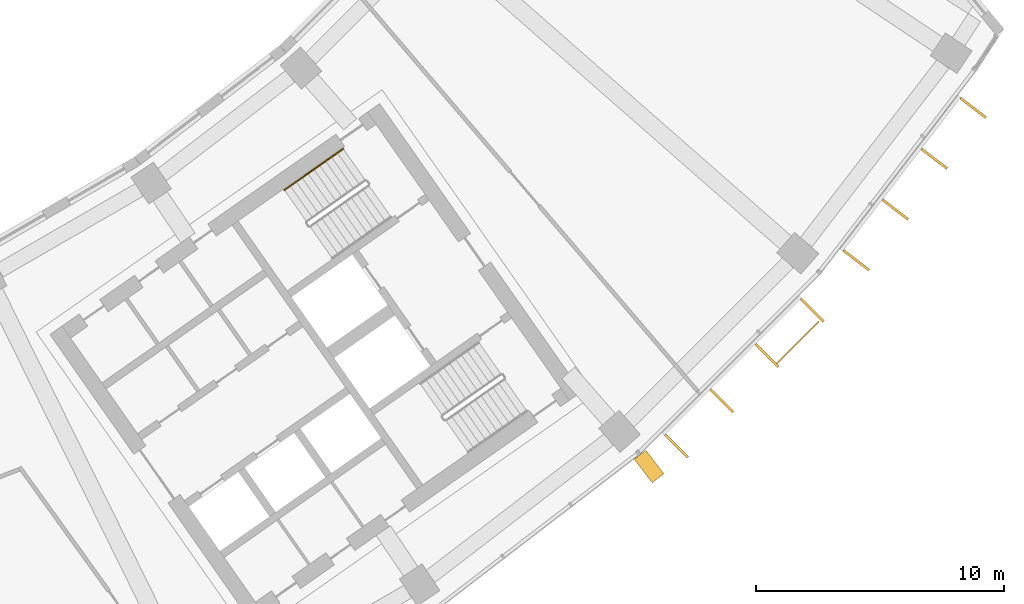
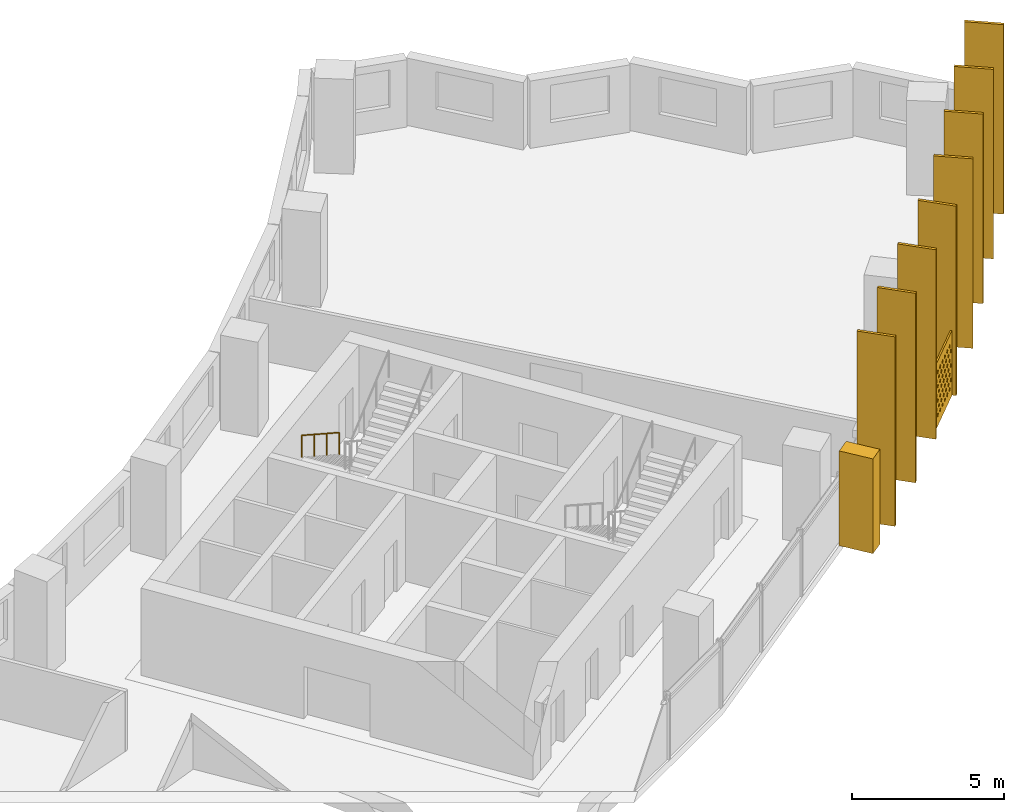
# One storey, part 26 of 26: 10 shading devices, 1 railing.
"""IFC4 building model written with IfcOpenShell, lengths in metres."""

from ifc_helpers import new_model, si_unit, direction, frame, origin, origin_2d, place, context, subcontext, project, spatial, polyline, rectangle, circle, outline, extrude, material, material_profile, profile_set, type_object, element, save


model = new_model("IFC4")

# Units and contexts
model_context = context("Model", 3, precision=1e-05, world=origin(), true_north=direction((0.0, 1.0)))
body_context = subcontext(model_context, "Body", "Model", "MODEL_VIEW")
ifc_project = project(units=[si_unit("LENGTHUNIT", "METRE"), si_unit("AREAUNIT", "SQUARE_METRE"), si_unit("VOLUMEUNIT", "CUBIC_METRE"), si_unit("PLANEANGLEUNIT", "RADIAN"), si_unit("MASSUNIT", "GRAM", prefix="KILO")], contexts=[model_context])

# Site, building, storey
site_placement = place(None, origin())
site = spatial("IfcSite", under=ifc_project, at=site_placement, CompositionType="ELEMENT")
building_placement = place(site_placement, origin())
building = spatial("IfcBuilding", under=site, at=building_placement, Name="Qamariyya Broadcast Tower", CompositionType="ELEMENT")
storey_placement = place(building_placement, frame((0.0, 0.0, 156.89990234375)))
storey = spatial("IfcBuildingStorey", under=building, at=storey_placement, Name="L36", CompositionType="ELEMENT", Elevation=156.89990234375)

# Shading devices
ifc_material_1 = material(Name="Steel S355 powder coated deep red", Category="steel")
shading_device_type_1 = type_object("IfcShadingDeviceType", Name="Deep red frame, powder coated steel box section", PredefinedType="USERDEFINED", material=ifc_material_1)
shading_device_1_placement = place(storey_placement, origin())
element("IfcShadingDevice", 1, at=shading_device_1_placement, inside=storey, type_object=shading_device_type_1, Name="e-frm-B3-F4-postb-L36", ObjectType="FRAME", PredefinedType="USERDEFINED", context=body_context, shape_type="SweptSolid", body=[
    extrude(outline(polyline([(51.850341796875, -59.577880859375), (52.580810546875, -60.530029296875), (53.056884765625, -60.164794921875), (52.326416015625, -59.212646484375), (51.850341796875, -59.577880859375)])), origin(), (0.0, 0.0, 1.0), 3.800048828125),
])
ifc_material_2 = material(Name="Perforated glazed terracotta", Category="masonry")
ifc_material_profile_1 = material_profile(ifc_material_2, outline(polyline([(-1.199951171875, -1.300048828125), (1.199951171875, -1.300048828125), (1.199951171875, 1.300048828125), (-1.199951171875, 1.300048828125), (-1.199951171875, -1.300048828125)]), holes=[polyline([(-0.81494140625, -0.86669921875), (-0.89990234375, -0.78173828125), (-0.985107421875, -0.86669921875), (-0.89990234375, -0.95166015625), (-0.81494140625, -0.86669921875)]), polyline([(-0.514892578125, -0.86669921875), (-0.60009765625, -0.78173828125), (-0.68505859375, -0.86669921875), (-0.60009765625, -0.95166015625), (-0.514892578125, -0.86669921875)]), polyline([(-0.215087890625, -0.86669921875), (-0.300048828125, -0.78173828125), (-0.385009765625, -0.86669921875), (-0.300048828125, -0.95166015625), (-0.215087890625, -0.86669921875)]), polyline([(0.0849609375, -0.86669921875), (0.0, -0.78173828125), (-0.0849609375, -0.86669921875), (0.0, -0.95166015625), (0.0849609375, -0.86669921875)]), polyline([(0.385009765625, -0.86669921875), (0.300048828125, -0.78173828125), (0.215087890625, -0.86669921875), (0.300048828125, -0.95166015625), (0.385009765625, -0.86669921875)]), polyline([(0.68505859375, -0.86669921875), (0.60009765625, -0.78173828125), (0.514892578125, -0.86669921875), (0.60009765625, -0.95166015625), (0.68505859375, -0.86669921875)]), polyline([(0.985107421875, -0.86669921875), (0.89990234375, -0.78173828125), (0.81494140625, -0.86669921875), (0.89990234375, -0.95166015625), (0.985107421875, -0.86669921875)]), polyline([(-0.965087890625, -0.577880859375), (-1.050048828125, -0.49267578125), (-1.135009765625, -0.577880859375), (-1.050048828125, -0.662841796875), (-0.965087890625, -0.577880859375)]), polyline([(-0.6650390625, -0.577880859375), (-0.75, -0.49267578125), (-0.8349609375, -0.577880859375), (-0.75, -0.662841796875), (-0.6650390625, -0.577880859375)]), polyline([(-0.364990234375, -0.577880859375), (-0.449951171875, -0.49267578125), (-0.534912109375, -0.577880859375), (-0.449951171875, -0.662841796875), (-0.364990234375, -0.577880859375)]), polyline([(-0.06494140625, -0.577880859375), (-0.14990234375, -0.49267578125), (-0.235107421875, -0.577880859375), (-0.14990234375, -0.662841796875), (-0.06494140625, -0.577880859375)]), polyline([(0.235107421875, -0.577880859375), (0.14990234375, -0.49267578125), (0.06494140625, -0.577880859375), (0.14990234375, -0.662841796875), (0.235107421875, -0.577880859375)]), polyline([(0.534912109375, -0.577880859375), (0.449951171875, -0.49267578125), (0.364990234375, -0.577880859375), (0.449951171875, -0.662841796875), (0.534912109375, -0.577880859375)]), polyline([(0.8349609375, -0.577880859375), (0.75, -0.49267578125), (0.6650390625, -0.577880859375), (0.75, -0.662841796875), (0.8349609375, -0.577880859375)]), polyline([(1.135009765625, -0.577880859375), (1.050048828125, -0.49267578125), (0.965087890625, -0.577880859375), (1.050048828125, -0.662841796875), (1.135009765625, -0.577880859375)]), polyline([(-0.81494140625, -0.288818359375), (-0.89990234375, -0.203857421875), (-0.985107421875, -0.288818359375), (-0.89990234375, -0.373779296875), (-0.81494140625, -0.288818359375)]), polyline([(-0.514892578125, -0.288818359375), (-0.60009765625, -0.203857421875), (-0.68505859375, -0.288818359375), (-0.60009765625, -0.373779296875), (-0.514892578125, -0.288818359375)]), polyline([(-0.215087890625, -0.288818359375), (-0.300048828125, -0.203857421875), (-0.385009765625, -0.288818359375), (-0.300048828125, -0.373779296875), (-0.215087890625, -0.288818359375)]), polyline([(0.0849609375, -0.288818359375), (0.0, -0.203857421875), (-0.0849609375, -0.288818359375), (0.0, -0.373779296875), (0.0849609375, -0.288818359375)]), polyline([(0.385009765625, -0.288818359375), (0.300048828125, -0.203857421875), (0.215087890625, -0.288818359375), (0.300048828125, -0.373779296875), (0.385009765625, -0.288818359375)]), polyline([(0.68505859375, -0.288818359375), (0.60009765625, -0.203857421875), (0.514892578125, -0.288818359375), (0.60009765625, -0.373779296875), (0.68505859375, -0.288818359375)]), polyline([(0.985107421875, -0.288818359375), (0.89990234375, -0.203857421875), (0.81494140625, -0.288818359375), (0.89990234375, -0.373779296875), (0.985107421875, -0.288818359375)]), polyline([(-0.965087890625, 0.0), (-1.050048828125, 0.0849609375), (-1.135009765625, 0.0), (-1.050048828125, -0.0849609375), (-0.965087890625, 0.0)]), polyline([(-0.6650390625, 0.0), (-0.75, 0.0849609375), (-0.8349609375, 0.0), (-0.75, -0.0849609375), (-0.6650390625, 0.0)]), polyline([(-0.364990234375, 0.0), (-0.449951171875, 0.0849609375), (-0.534912109375, 0.0), (-0.449951171875, -0.0849609375), (-0.364990234375, 0.0)]), polyline([(-0.06494140625, 0.0), (-0.14990234375, 0.0849609375), (-0.235107421875, 0.0), (-0.14990234375, -0.0849609375), (-0.06494140625, 0.0)]), polyline([(0.235107421875, 0.0), (0.14990234375, 0.0849609375), (0.06494140625, 0.0), (0.14990234375, -0.0849609375), (0.235107421875, 0.0)]), polyline([(0.534912109375, 0.0), (0.449951171875, 0.0849609375), (0.364990234375, 0.0), (0.449951171875, -0.0849609375), (0.534912109375, 0.0)]), polyline([(0.8349609375, 0.0), (0.75, 0.0849609375), (0.6650390625, 0.0), (0.75, -0.0849609375), (0.8349609375, 0.0)]), polyline([(1.135009765625, 0.0), (1.050048828125, 0.0849609375), (0.965087890625, 0.0), (1.050048828125, -0.0849609375), (1.135009765625, 0.0)]), polyline([(-0.81494140625, 0.288818359375), (-0.89990234375, 0.373779296875), (-0.985107421875, 0.288818359375), (-0.89990234375, 0.203857421875), (-0.81494140625, 0.288818359375)]), polyline([(-0.514892578125, 0.288818359375), (-0.60009765625, 0.373779296875), (-0.68505859375, 0.288818359375), (-0.60009765625, 0.203857421875), (-0.514892578125, 0.288818359375)]), polyline([(-0.215087890625, 0.288818359375), (-0.300048828125, 0.373779296875), (-0.385009765625, 0.288818359375), (-0.300048828125, 0.203857421875), (-0.215087890625, 0.288818359375)]), polyline([(0.0849609375, 0.288818359375), (0.0, 0.373779296875), (-0.0849609375, 0.288818359375), (0.0, 0.203857421875), (0.0849609375, 0.288818359375)]), polyline([(0.385009765625, 0.288818359375), (0.300048828125, 0.373779296875), (0.215087890625, 0.288818359375), (0.300048828125, 0.203857421875), (0.385009765625, 0.288818359375)]), polyline([(0.68505859375, 0.288818359375), (0.60009765625, 0.373779296875), (0.514892578125, 0.288818359375), (0.60009765625, 0.203857421875), (0.68505859375, 0.288818359375)]), polyline([(0.985107421875, 0.288818359375), (0.89990234375, 0.373779296875), (0.81494140625, 0.288818359375), (0.89990234375, 0.203857421875), (0.985107421875, 0.288818359375)]), polyline([(-0.965087890625, 0.577880859375), (-1.050048828125, 0.662841796875), (-1.135009765625, 0.577880859375), (-1.050048828125, 0.49267578125), (-0.965087890625, 0.577880859375)]), polyline([(-0.6650390625, 0.577880859375), (-0.75, 0.662841796875), (-0.8349609375, 0.577880859375), (-0.75, 0.49267578125), (-0.6650390625, 0.577880859375)]), polyline([(-0.364990234375, 0.577880859375), (-0.449951171875, 0.662841796875), (-0.534912109375, 0.577880859375), (-0.449951171875, 0.49267578125), (-0.364990234375, 0.577880859375)]), polyline([(-0.06494140625, 0.577880859375), (-0.14990234375, 0.662841796875), (-0.235107421875, 0.577880859375), (-0.14990234375, 0.49267578125), (-0.06494140625, 0.577880859375)]), polyline([(0.235107421875, 0.577880859375), (0.14990234375, 0.662841796875), (0.06494140625, 0.577880859375), (0.14990234375, 0.49267578125), (0.235107421875, 0.577880859375)]), polyline([(0.534912109375, 0.577880859375), (0.449951171875, 0.662841796875), (0.364990234375, 0.577880859375), (0.449951171875, 0.49267578125), (0.534912109375, 0.577880859375)]), polyline([(0.8349609375, 0.577880859375), (0.75, 0.662841796875), (0.6650390625, 0.577880859375), (0.75, 0.49267578125), (0.8349609375, 0.577880859375)]), polyline([(1.135009765625, 0.577880859375), (1.050048828125, 0.662841796875), (0.965087890625, 0.577880859375), (1.050048828125, 0.49267578125), (1.135009765625, 0.577880859375)]), polyline([(-0.81494140625, 0.86669921875), (-0.89990234375, 0.95166015625), (-0.985107421875, 0.86669921875), (-0.89990234375, 0.78173828125), (-0.81494140625, 0.86669921875)]), polyline([(-0.514892578125, 0.86669921875), (-0.60009765625, 0.95166015625), (-0.68505859375, 0.86669921875), (-0.60009765625, 0.78173828125), (-0.514892578125, 0.86669921875)]), polyline([(-0.215087890625, 0.86669921875), (-0.300048828125, 0.95166015625), (-0.385009765625, 0.86669921875), (-0.300048828125, 0.78173828125), (-0.215087890625, 0.86669921875)]), polyline([(0.0849609375, 0.86669921875), (0.0, 0.95166015625), (-0.0849609375, 0.86669921875), (0.0, 0.78173828125), (0.0849609375, 0.86669921875)]), polyline([(0.385009765625, 0.86669921875), (0.300048828125, 0.95166015625), (0.215087890625, 0.86669921875), (0.300048828125, 0.78173828125), (0.385009765625, 0.86669921875)]), polyline([(0.68505859375, 0.86669921875), (0.60009765625, 0.95166015625), (0.514892578125, 0.86669921875), (0.60009765625, 0.78173828125), (0.68505859375, 0.86669921875)]), polyline([(0.985107421875, 0.86669921875), (0.89990234375, 0.95166015625), (0.81494140625, 0.86669921875), (0.89990234375, 0.78173828125), (0.985107421875, 0.86669921875)])]))
ifc_profile_set_1 = profile_set([ifc_material_profile_1], Name="Perforated glazed terracotta")
shading_device_type_2 = type_object("IfcShadingDeviceType", Name="Perforated terracotta screen 2400 x 2600", PredefinedType="USERDEFINED", material=ifc_profile_set_1)
shading_device_2_placement = place(storey_placement, frame((58.43701171875, -54.842529296875, 1.35009765625), z_axis=(0.707106781187, -0.707106781187, 0.0), x_axis=(0.707106781187, 0.707106781187, 0.0)))
element("IfcShadingDevice", 2, at=shading_device_2_placement, inside=storey, type_object=shading_device_type_2, Name="e-scr-L36-13-2", ObjectType="SCREEN", PredefinedType="USERDEFINED", context=body_context, shape_type="SweptSolid", body=[
    extrude(outline(polyline([(-1.199951171875, -1.300048828125), (1.199951171875, -1.300048828125), (1.199951171875, 1.300048828125), (-1.199951171875, 1.300048828125), (-1.199951171875, -1.300048828125)]), holes=[polyline([(-0.81494140625, -0.86669921875), (-0.89990234375, -0.78173828125), (-0.985107421875, -0.86669921875), (-0.89990234375, -0.95166015625), (-0.81494140625, -0.86669921875)]), polyline([(-0.514892578125, -0.86669921875), (-0.60009765625, -0.78173828125), (-0.68505859375, -0.86669921875), (-0.60009765625, -0.95166015625), (-0.514892578125, -0.86669921875)]), polyline([(-0.215087890625, -0.86669921875), (-0.300048828125, -0.78173828125), (-0.385009765625, -0.86669921875), (-0.300048828125, -0.95166015625), (-0.215087890625, -0.86669921875)]), polyline([(0.0849609375, -0.86669921875), (0.0, -0.78173828125), (-0.0849609375, -0.86669921875), (0.0, -0.95166015625), (0.0849609375, -0.86669921875)]), polyline([(0.385009765625, -0.86669921875), (0.300048828125, -0.78173828125), (0.215087890625, -0.86669921875), (0.300048828125, -0.95166015625), (0.385009765625, -0.86669921875)]), polyline([(0.68505859375, -0.86669921875), (0.60009765625, -0.78173828125), (0.514892578125, -0.86669921875), (0.60009765625, -0.95166015625), (0.68505859375, -0.86669921875)]), polyline([(0.985107421875, -0.86669921875), (0.89990234375, -0.78173828125), (0.81494140625, -0.86669921875), (0.89990234375, -0.95166015625), (0.985107421875, -0.86669921875)]), polyline([(-0.965087890625, -0.577880859375), (-1.050048828125, -0.49267578125), (-1.135009765625, -0.577880859375), (-1.050048828125, -0.662841796875), (-0.965087890625, -0.577880859375)]), polyline([(-0.6650390625, -0.577880859375), (-0.75, -0.49267578125), (-0.8349609375, -0.577880859375), (-0.75, -0.662841796875), (-0.6650390625, -0.577880859375)]), polyline([(-0.364990234375, -0.577880859375), (-0.449951171875, -0.49267578125), (-0.534912109375, -0.577880859375), (-0.449951171875, -0.662841796875), (-0.364990234375, -0.577880859375)]), polyline([(-0.06494140625, -0.577880859375), (-0.14990234375, -0.49267578125), (-0.235107421875, -0.577880859375), (-0.14990234375, -0.662841796875), (-0.06494140625, -0.577880859375)]), polyline([(0.235107421875, -0.577880859375), (0.14990234375, -0.49267578125), (0.06494140625, -0.577880859375), (0.14990234375, -0.662841796875), (0.235107421875, -0.577880859375)]), polyline([(0.534912109375, -0.577880859375), (0.449951171875, -0.49267578125), (0.364990234375, -0.577880859375), (0.449951171875, -0.662841796875), (0.534912109375, -0.577880859375)]), polyline([(0.8349609375, -0.577880859375), (0.75, -0.49267578125), (0.6650390625, -0.577880859375), (0.75, -0.662841796875), (0.8349609375, -0.577880859375)]), polyline([(1.135009765625, -0.577880859375), (1.050048828125, -0.49267578125), (0.965087890625, -0.577880859375), (1.050048828125, -0.662841796875), (1.135009765625, -0.577880859375)]), polyline([(-0.81494140625, -0.288818359375), (-0.89990234375, -0.203857421875), (-0.985107421875, -0.288818359375), (-0.89990234375, -0.373779296875), (-0.81494140625, -0.288818359375)]), polyline([(-0.514892578125, -0.288818359375), (-0.60009765625, -0.203857421875), (-0.68505859375, -0.288818359375), (-0.60009765625, -0.373779296875), (-0.514892578125, -0.288818359375)]), polyline([(-0.215087890625, -0.288818359375), (-0.300048828125, -0.203857421875), (-0.385009765625, -0.288818359375), (-0.300048828125, -0.373779296875), (-0.215087890625, -0.288818359375)]), polyline([(0.0849609375, -0.288818359375), (0.0, -0.203857421875), (-0.0849609375, -0.288818359375), (0.0, -0.373779296875), (0.0849609375, -0.288818359375)]), polyline([(0.385009765625, -0.288818359375), (0.300048828125, -0.203857421875), (0.215087890625, -0.288818359375), (0.300048828125, -0.373779296875), (0.385009765625, -0.288818359375)]), polyline([(0.68505859375, -0.288818359375), (0.60009765625, -0.203857421875), (0.514892578125, -0.288818359375), (0.60009765625, -0.373779296875), (0.68505859375, -0.288818359375)]), polyline([(0.985107421875, -0.288818359375), (0.89990234375, -0.203857421875), (0.81494140625, -0.288818359375), (0.89990234375, -0.373779296875), (0.985107421875, -0.288818359375)]), polyline([(-0.965087890625, 0.0), (-1.050048828125, 0.0849609375), (-1.135009765625, 0.0), (-1.050048828125, -0.0849609375), (-0.965087890625, 0.0)]), polyline([(-0.6650390625, 0.0), (-0.75, 0.0849609375), (-0.8349609375, 0.0), (-0.75, -0.0849609375), (-0.6650390625, 0.0)]), polyline([(-0.364990234375, 0.0), (-0.449951171875, 0.0849609375), (-0.534912109375, 0.0), (-0.449951171875, -0.0849609375), (-0.364990234375, 0.0)]), polyline([(-0.06494140625, 0.0), (-0.14990234375, 0.0849609375), (-0.235107421875, 0.0), (-0.14990234375, -0.0849609375), (-0.06494140625, 0.0)]), polyline([(0.235107421875, 0.0), (0.14990234375, 0.0849609375), (0.06494140625, 0.0), (0.14990234375, -0.0849609375), (0.235107421875, 0.0)]), polyline([(0.534912109375, 0.0), (0.449951171875, 0.0849609375), (0.364990234375, 0.0), (0.449951171875, -0.0849609375), (0.534912109375, 0.0)]), polyline([(0.8349609375, 0.0), (0.75, 0.0849609375), (0.6650390625, 0.0), (0.75, -0.0849609375), (0.8349609375, 0.0)]), polyline([(1.135009765625, 0.0), (1.050048828125, 0.0849609375), (0.965087890625, 0.0), (1.050048828125, -0.0849609375), (1.135009765625, 0.0)]), polyline([(-0.81494140625, 0.288818359375), (-0.89990234375, 0.373779296875), (-0.985107421875, 0.288818359375), (-0.89990234375, 0.203857421875), (-0.81494140625, 0.288818359375)]), polyline([(-0.514892578125, 0.288818359375), (-0.60009765625, 0.373779296875), (-0.68505859375, 0.288818359375), (-0.60009765625, 0.203857421875), (-0.514892578125, 0.288818359375)]), polyline([(-0.215087890625, 0.288818359375), (-0.300048828125, 0.373779296875), (-0.385009765625, 0.288818359375), (-0.300048828125, 0.203857421875), (-0.215087890625, 0.288818359375)]), polyline([(0.0849609375, 0.288818359375), (0.0, 0.373779296875), (-0.0849609375, 0.288818359375), (0.0, 0.203857421875), (0.0849609375, 0.288818359375)]), polyline([(0.385009765625, 0.288818359375), (0.300048828125, 0.373779296875), (0.215087890625, 0.288818359375), (0.300048828125, 0.203857421875), (0.385009765625, 0.288818359375)]), polyline([(0.68505859375, 0.288818359375), (0.60009765625, 0.373779296875), (0.514892578125, 0.288818359375), (0.60009765625, 0.203857421875), (0.68505859375, 0.288818359375)]), polyline([(0.985107421875, 0.288818359375), (0.89990234375, 0.373779296875), (0.81494140625, 0.288818359375), (0.89990234375, 0.203857421875), (0.985107421875, 0.288818359375)]), polyline([(-0.965087890625, 0.577880859375), (-1.050048828125, 0.662841796875), (-1.135009765625, 0.577880859375), (-1.050048828125, 0.49267578125), (-0.965087890625, 0.577880859375)]), polyline([(-0.6650390625, 0.577880859375), (-0.75, 0.662841796875), (-0.8349609375, 0.577880859375), (-0.75, 0.49267578125), (-0.6650390625, 0.577880859375)]), polyline([(-0.364990234375, 0.577880859375), (-0.449951171875, 0.662841796875), (-0.534912109375, 0.577880859375), (-0.449951171875, 0.49267578125), (-0.364990234375, 0.577880859375)]), polyline([(-0.06494140625, 0.577880859375), (-0.14990234375, 0.662841796875), (-0.235107421875, 0.577880859375), (-0.14990234375, 0.49267578125), (-0.06494140625, 0.577880859375)]), polyline([(0.235107421875, 0.577880859375), (0.14990234375, 0.662841796875), (0.06494140625, 0.577880859375), (0.14990234375, 0.49267578125), (0.235107421875, 0.577880859375)]), polyline([(0.534912109375, 0.577880859375), (0.449951171875, 0.662841796875), (0.364990234375, 0.577880859375), (0.449951171875, 0.49267578125), (0.534912109375, 0.577880859375)]), polyline([(0.8349609375, 0.577880859375), (0.75, 0.662841796875), (0.6650390625, 0.577880859375), (0.75, 0.49267578125), (0.8349609375, 0.577880859375)]), polyline([(1.135009765625, 0.577880859375), (1.050048828125, 0.662841796875), (0.965087890625, 0.577880859375), (1.050048828125, 0.49267578125), (1.135009765625, 0.577880859375)]), polyline([(-0.81494140625, 0.86669921875), (-0.89990234375, 0.95166015625), (-0.985107421875, 0.86669921875), (-0.89990234375, 0.78173828125), (-0.81494140625, 0.86669921875)]), polyline([(-0.514892578125, 0.86669921875), (-0.60009765625, 0.95166015625), (-0.68505859375, 0.86669921875), (-0.60009765625, 0.78173828125), (-0.514892578125, 0.86669921875)]), polyline([(-0.215087890625, 0.86669921875), (-0.300048828125, 0.95166015625), (-0.385009765625, 0.86669921875), (-0.300048828125, 0.78173828125), (-0.215087890625, 0.86669921875)]), polyline([(0.0849609375, 0.86669921875), (0.0, 0.95166015625), (-0.0849609375, 0.86669921875), (0.0, 0.78173828125), (0.0849609375, 0.86669921875)]), polyline([(0.385009765625, 0.86669921875), (0.300048828125, 0.95166015625), (0.215087890625, 0.86669921875), (0.300048828125, 0.78173828125), (0.385009765625, 0.86669921875)]), polyline([(0.68505859375, 0.86669921875), (0.60009765625, 0.95166015625), (0.514892578125, 0.86669921875), (0.60009765625, 0.78173828125), (0.68505859375, 0.86669921875)]), polyline([(0.985107421875, 0.86669921875), (0.89990234375, 0.95166015625), (0.81494140625, 0.86669921875), (0.89990234375, 0.78173828125), (0.985107421875, 0.86669921875)])]), origin(), (0.0, 0.0, 1.0), 0.06005859375),
])

# Railing
ifc_material_3 = material(Name="Stainless steel", Category="steel")
railing_type = type_object("IfcRailingType", Name="Stair handrail", PredefinedType="HANDRAIL", material=ifc_material_3)
railing_placement = place(storey_placement, frame((40.1142578125, -47.05029296875, 0.1728515625)))
element("IfcRailing", 3, at=railing_placement, inside=storey, type_object=railing_type, Name="L36 ST-E2 stair handrail 1", PredefinedType="HANDRAIL", context=body_context, shape_type="SweptSolid", body=[
    extrude(circle(Radius=0.02392578125, at=origin_2d()), frame((0.0, 0.0, 0.8759765625), z_axis=(-0.703745009021, -0.492838488332, 0.511715923826), x_axis=(0.573631830683, -0.819113253969, 0.0)), (0.0, 0.0, 1.0), 3.37548828125),
    extrude(circle(Radius=0.02099609375, at=origin_2d()), origin(), (0.0, 0.0, 1.0), 0.851806640625),
    extrude(circle(Radius=0.02099609375, at=origin_2d()), frame((-0.791748046875, -0.554443359375, 0.57568359375)), (0.0, 0.0, 1.0), 0.851806640625),
    extrude(circle(Radius=0.02099609375, at=origin_2d()), frame((-1.583740234375, -1.109130859375, 1.151611328125)), (0.0, 0.0, 1.0), 0.851806640625),
    extrude(circle(Radius=0.02099609375, at=origin_2d()), frame((-2.37548828125, -1.66357421875, 1.727294921875)), (0.0, 0.0, 1.0), 0.851806640625),
])

# Shading devices
ifc_material_4 = material(Name="Glazed terracotta", Category="masonry")
ifc_material_profile_2 = material_profile(ifc_material_4, rectangle(XDim=1.300048828125, YDim=0.10009765625, at=origin_2d()))
ifc_profile_set_2 = profile_set([ifc_material_profile_2], Name="Glazed terracotta")
shading_device_type_3 = type_object("IfcShadingDeviceType", Name="Terracotta fin 100 x 1300", PredefinedType="USERDEFINED", material=ifc_profile_set_2)
for number, where, z_axis, x_axis, name in (
    (4, (53.5673828125, -59.047607421875, 0.0), (0.0, 0.0, 1.0), (0.707106781187, -0.707106781187, 0.0), "e-fin-L36-13-0"),
    (5, (55.39404296875, -57.220947265625, 0.0), (0.0, 0.0, 1.0), (0.707106781187, -0.707106781187, 0.0), "e-fin-L36-13-1"),
    (6, (57.220947265625, -55.39404296875, 0.0), (0.0, 0.0, 1.0), (0.707106781187, -0.707106781187, 0.0), "e-fin-L36-13-2"),
    (7, (59.047607421875, -53.5673828125, 0.0), (0.0, 0.0, 1.0), (0.707106781187, -0.707106781187, 0.0), "e-fin-L36-13-3"),
    (8, (60.81640625, -51.550537109375, 0.0), (0.0, 0.0, 1.0), (0.793353340291, -0.608761429009, 0.0), "e-fin-L36-14-0"),
    (9, (62.38916015625, -49.5009765625, 0.0), (0.0, 0.0, 1.0), (0.793353340291, -0.608761429009, 0.0), "e-fin-L36-14-1"),
    (10, (63.961669921875, -47.451416015625, 0.0), (0.0, 0.0, 1.0), (0.793353340291, -0.608761429009, 0.0), "e-fin-L36-14-2"),
    (11, (65.534423828125, -45.40185546875, 0.0), (0.0, 0.0, 1.0), (0.793353340291, -0.608761429009, 0.0), "e-fin-L36-14-3"),
):
    element("IfcShadingDevice", number, at=place(storey_placement, frame(where, z_axis=z_axis, x_axis=x_axis)), inside=storey, type_object=shading_device_type_3, Name=name, ObjectType="FIN", PredefinedType="USERDEFINED", context=body_context, shape_type="SweptSolid", body=[
        extrude(rectangle(XDim=1.300048828125, YDim=0.10009765625, at=origin_2d()), origin(), (0.0, 0.0, 1.0), 7.60009765625),
    ])

save(model, "model.ifc")
